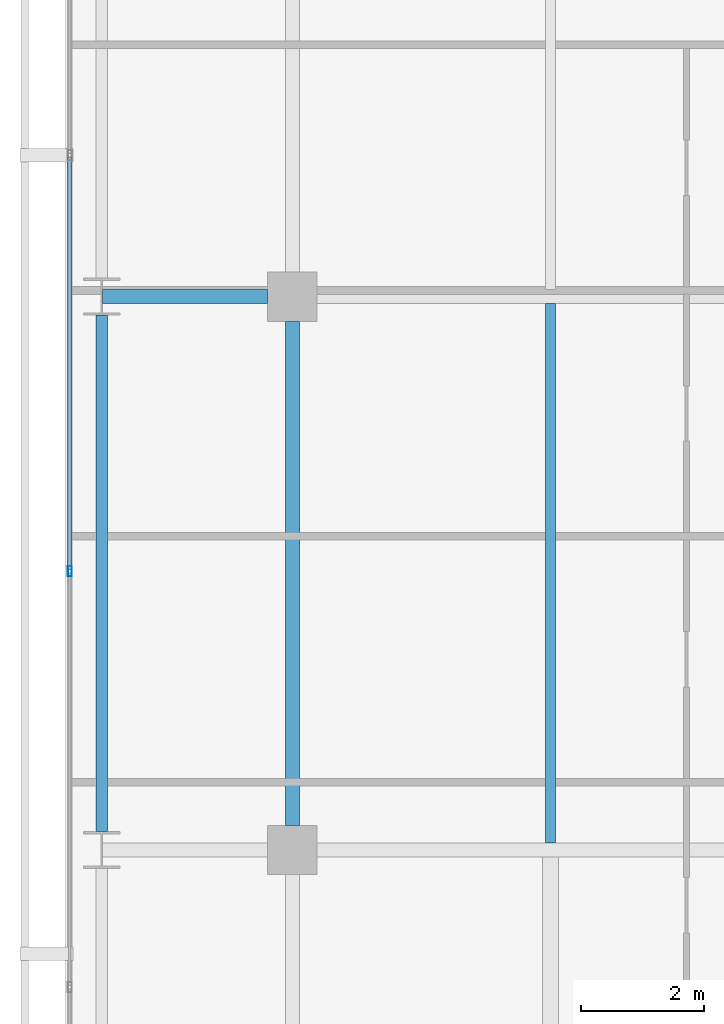
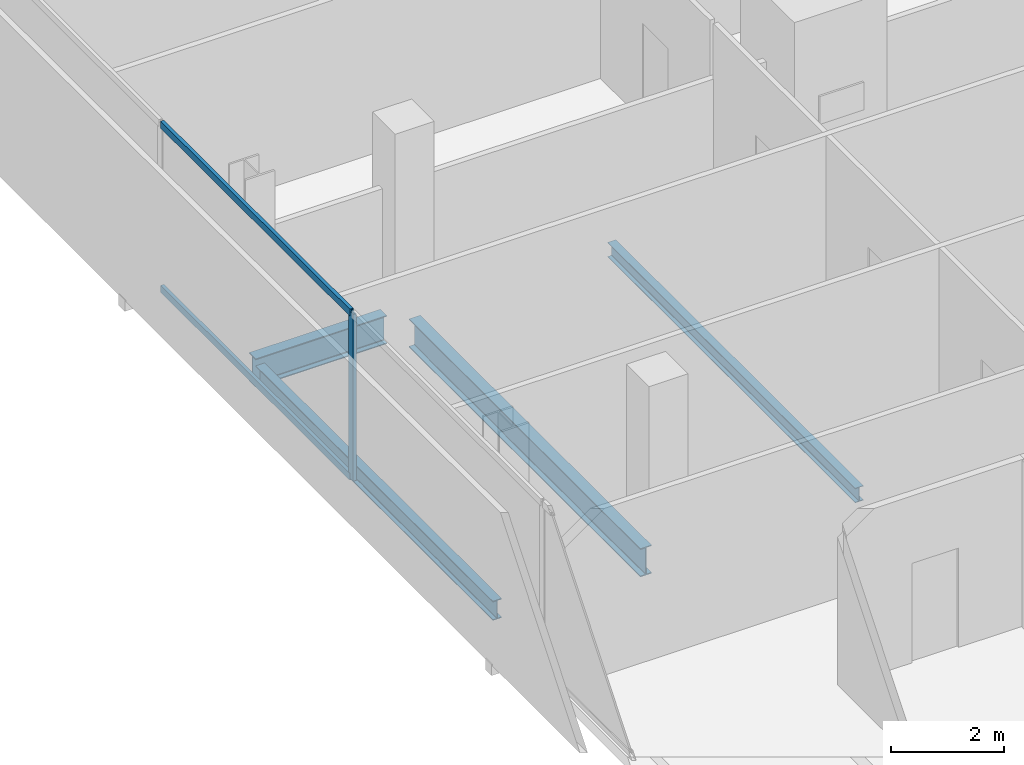
# One storey, part 8 of 34: 4 beams, 3 members, 1 element without a shape of its own.
"""IFC4 building model written with IfcOpenShell, lengths in metres."""

from ifc_helpers import new_model, si_unit, direction, frame, origin, origin_2d, place, context, subcontext, project, spatial, hollow_rectangle, i_section, extrude, material, layer, layer_set, material_profile, profile_set, type_object, element, aggregate, save


model = new_model("IFC4")

# Units and contexts
model_context = context("Model", 3, precision=1e-05, world=origin(), true_north=direction((0.0, 1.0)))
body_context = subcontext(model_context, "Body", "Model", "MODEL_VIEW")
ifc_project = project(units=[si_unit("LENGTHUNIT", "METRE"), si_unit("AREAUNIT", "SQUARE_METRE"), si_unit("VOLUMEUNIT", "CUBIC_METRE"), si_unit("PLANEANGLEUNIT", "RADIAN"), si_unit("MASSUNIT", "GRAM", prefix="KILO")], contexts=[model_context])

# Site, building, storey
site_placement = place(None, origin())
site = spatial("IfcSite", under=ifc_project, at=site_placement, CompositionType="ELEMENT")
building_placement = place(site_placement, origin())
building = spatial("IfcBuilding", under=site, at=building_placement, Name="Maruvema Waterfront Hotel and Observation Tower", CompositionType="ELEMENT")
storey_placement = place(building_placement, frame((0.0, 0.0, 135.10009765625)))
storey = spatial("IfcBuildingStorey", under=building, at=storey_placement, Name="L32", CompositionType="ELEMENT", Elevation=135.10009765625)

# Curtain wall, members
ifc_material_1 = material(Name="Anodised bronze aluminium and solar-control low-E IGU", Category="aluminium")
ifc_layer = layer(ifc_material_1, 0.159912109375, Name="Zone 2 Amber Inner Thermal Curtain Wall System CW-03")
ifc_layer_set = layer_set([ifc_layer], Name="Anodised bronze aluminium and solar-control low-E IGU")
curtain_wall_type = type_object("IfcCurtainWallType", Name="Zone 2 Amber Inner Thermal Curtain Wall System CW-03", PredefinedType="USERDEFINED", material=ifc_layer_set)
curtain_wall_placement = place(storey_placement, origin())
curtain_wall = element("IfcCurtainWall", 1, at=curtain_wall_placement, inside=storey, type_object=curtain_wall_type, Name="L32 Curtain Wall CW-L32-W", ObjectType="UNITISED CURTAIN WALL", PredefinedType="USERDEFINED")
ifc_material_2 = material(Name="Anodised architectural bronze aluminium", Category="aluminium")
ifc_material_profile_1 = material_profile(ifc_material_2, hollow_rectangle(XDim=0.070068359375, YDim=0.14990234375, WallThickness=0.00390625, at=origin_2d()), Name="ALU-T70x150")
ifc_profile_set_1 = profile_set([ifc_material_profile_1], Name="Anodised architectural bronze aluminium")
member_type_1 = type_object("IfcMemberType", Name="Curtain Wall Horizontal Transom ALU-T70x150", PredefinedType="USERDEFINED", material=ifc_profile_set_1)
member_1_placement = place(storey_placement, frame((13.179931640625, 29.27001953125, 0.02978515625), z_axis=(0.0, -1.0, 0.0), x_axis=(1.0, 0.0, 0.0)))
member_1 = element("IfcMember", 2, at=member_1_placement, type_object=member_type_1, Name="CW-03 transom 4.1", ObjectType="TRANSOM", PredefinedType="USERDEFINED", context=body_context, shape_type="SweptSolid", body=[
    extrude(hollow_rectangle(XDim=0.070068359375, YDim=0.14990234375, WallThickness=0.00390625, at=origin_2d()), origin(), (0.0, 0.0, 1.0), 6.706787109375),
])
member_2_placement = place(storey_placement, frame((13.179931640625, 29.27001953125, 3.579833984375), z_axis=(0.0, -1.0, 0.0), x_axis=(1.0, 0.0, 0.0)))
member_2 = element("IfcMember", 3, at=member_2_placement, type_object=member_type_1, Name="CW-03 transom 4.2", ObjectType="TRANSOM", PredefinedType="USERDEFINED", context=body_context, shape_type="SweptSolid", body=[
    extrude(hollow_rectangle(XDim=0.070068359375, YDim=0.14990234375, WallThickness=0.00390625, at=origin_2d()), origin(), (0.0, 0.0, 1.0), 6.706787109375),
])
ifc_material_3 = material(Name="Anodised architectural bronze aluminium", Category="aluminium")
ifc_material_profile_2 = material_profile(ifc_material_3, hollow_rectangle(XDim=0.06494140625, YDim=0.1650390625, WallThickness=0.00390625, at=origin_2d()), Name="ALU-M65x165")
ifc_profile_set_2 = profile_set([ifc_material_profile_2], Name="Anodised architectural bronze aluminium")
member_type_2 = type_object("IfcMemberType", Name="Curtain Wall Primary Mullion ALU-M65x165", PredefinedType="MULLION", material=ifc_profile_set_2)
member_3_placement = place(storey_placement, frame((13.179931640625, 22.533447265625, 0.0), z_axis=(0.0, 0.0, 1.0), x_axis=(1.0, 0.0, 0.0)))
member_3 = element("IfcMember", 4, at=member_3_placement, type_object=member_type_2, Name="CW-03 mullion 5", PredefinedType="MULLION", context=body_context, shape_type="SweptSolid", body=[
    extrude(hollow_rectangle(XDim=0.06494140625, YDim=0.1650390625, WallThickness=0.00390625, at=origin_2d()), origin(), (0.0, 0.0, 1.0), 3.60986328125),
])
aggregate(curtain_wall, [member_3, member_1, member_2])

# Beams
ifc_material_4 = material(Name="Steel ASTM A572 Grade 50", Category="steel")
ifc_material_profile_3 = material_profile(ifc_material_4, i_section(OverallWidth=0.180908203125, OverallDepth=0.4169921875, WebThickness=0.010986328125, FlangeThickness=0.018310546875, FilletRadius=0.014892578125, at=origin_2d()), Name="W410x85.0")
ifc_profile_set_3 = profile_set([ifc_material_profile_3], Name="Steel ASTM A572 Grade 50")
beam_type_1 = type_object("IfcBeamType", Name="Perimeter Spandrel Beam W410x85.0", PredefinedType="SPANDREL", material=ifc_profile_set_3)
beam_1_placement = place(storey_placement, frame((13.699951171875, 18.300048828125, -0.448486328125), z_axis=(0.0, 1.0, 0.0), x_axis=(-1.0, 0.0, 0.0)))
element("IfcBeam", 5, at=beam_1_placement, inside=storey, type_object=beam_type_1, Name="L32 Floor Girder NS-02", PredefinedType="SPANDREL", context=body_context, shape_type="SweptSolid", body=[
    extrude(i_section(OverallWidth=0.180908203125, OverallDepth=0.4169921875, WebThickness=0.010986328125, FlangeThickness=0.018310546875, FilletRadius=0.014892578125, at=origin_2d()), origin(), (0.0, 0.0, 1.0), 8.39990234375),
])
ifc_material_5 = material(Name="Steel ASTM A572 Grade 50", Category="steel")
ifc_material_profile_4 = material_profile(ifc_material_5, i_section(OverallWidth=0.22900390625, OverallDepth=0.612060546875, WebThickness=0.011962890625, FlangeThickness=0.01953125, FilletRadius=0.01806640625, at=origin_2d()), Name="W610x125.0")
ifc_profile_set_4 = profile_set([ifc_material_profile_4], Name="Steel ASTM A572 Grade 50")
beam_type_2 = type_object("IfcBeamType", Name="Primary Floor Girder W610x125.0", PredefinedType="BEAM", material=ifc_profile_set_4)
beam_2_placement = place(storey_placement, frame((13.71240234375, 27.0, -0.546142578125), z_axis=(1.0, 0.0, 0.0), x_axis=(0.0, 1.0, 0.0)))
element("IfcBeam", 6, at=beam_2_placement, inside=storey, type_object=beam_type_2, Name="L32 Floor Girder EW-18", PredefinedType="BEAM", context=body_context, shape_type="SweptSolid", body=[
    extrude(i_section(OverallWidth=0.22900390625, OverallDepth=0.612060546875, WebThickness=0.011962890625, FlangeThickness=0.01953125, FilletRadius=0.01806640625, at=origin_2d()), origin(), (0.0, 0.0, 1.0), 2.6875),
])
beam_3_placement = place(storey_placement, frame((16.800048828125, 18.39990234375, -0.546142578125), z_axis=(0.0, 1.0, 0.0), x_axis=(-1.0, 0.0, 0.0)))
element("IfcBeam", 7, at=beam_3_placement, inside=storey, type_object=beam_type_2, Name="L32 Floor Girder NS-06", PredefinedType="BEAM", context=body_context, shape_type="SweptSolid", body=[
    extrude(i_section(OverallWidth=0.22900390625, OverallDepth=0.612060546875, WebThickness=0.011962890625, FlangeThickness=0.01953125, FilletRadius=0.01806640625, at=origin_2d()), origin(), (0.0, 0.0, 1.0), 8.2001953125),
])
ifc_material_6 = material(Name="Steel ASTM A572 Grade 50", Category="steel")
ifc_material_profile_5 = material_profile(ifc_material_6, i_section(OverallWidth=0.1669921875, OverallDepth=0.31689453125, WebThickness=0.007568359375, FlangeThickness=0.01318359375, FilletRadius=0.012939453125, at=origin_2d()), Name="W310x52.0")
ifc_profile_set_5 = profile_set([ifc_material_profile_5], Name="Steel ASTM A572 Grade 50")
beam_type_3 = type_object("IfcBeamType", Name="Secondary Floor Joist W310x52.0", PredefinedType="JOIST", material=ifc_profile_set_5)
beam_4_placement = place(storey_placement, frame((21.0, 18.114501953125, -0.398681640625), z_axis=(0.0, 1.0, 0.0), x_axis=(-1.0, 0.0, 0.0)))
element("IfcBeam", 8, at=beam_4_placement, inside=storey, type_object=beam_type_3, Name="L32 Secondary Floor Joist JS-02", PredefinedType="JOIST", context=body_context, shape_type="SweptSolid", body=[
    extrude(i_section(OverallWidth=0.1669921875, OverallDepth=0.31689453125, WebThickness=0.007568359375, FlangeThickness=0.01318359375, FilletRadius=0.012939453125, at=origin_2d()), origin(), (0.0, 0.0, 1.0), 8.77099609375),
])

save(model, "model.ifc")
